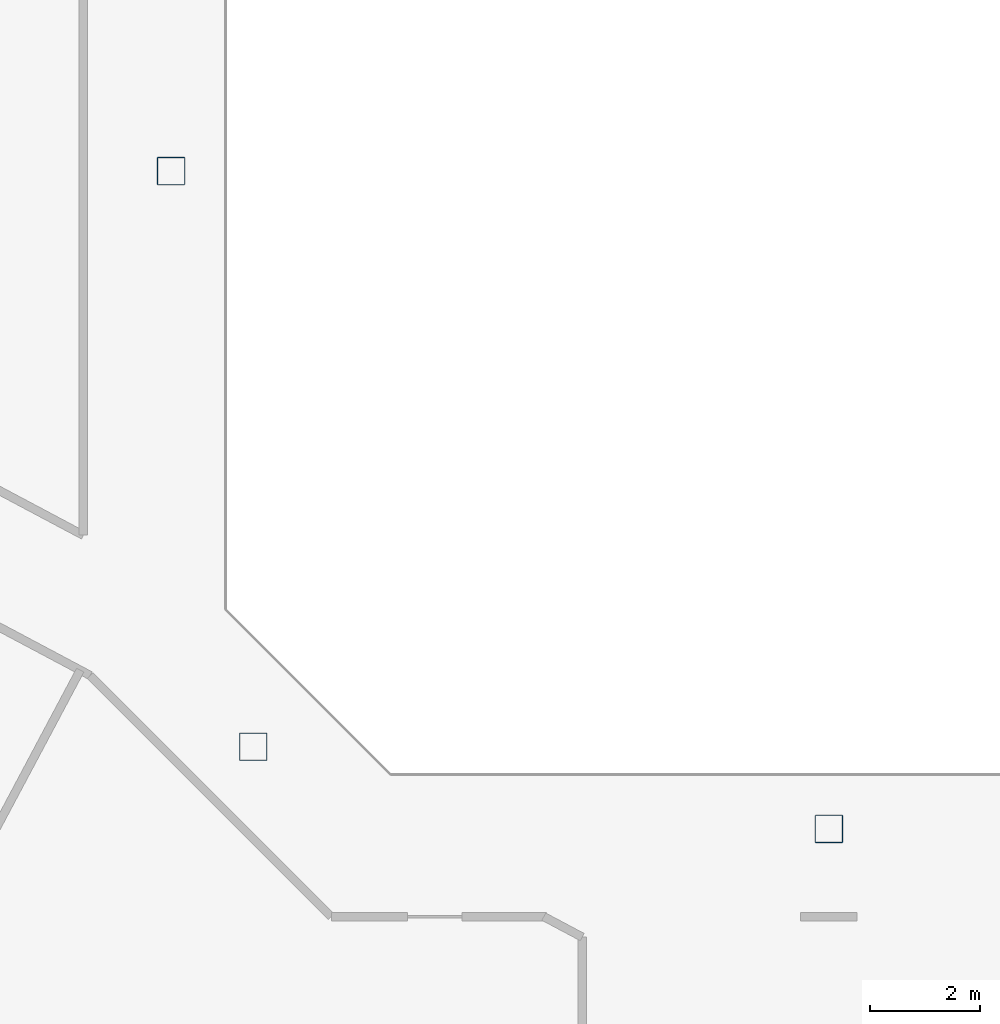
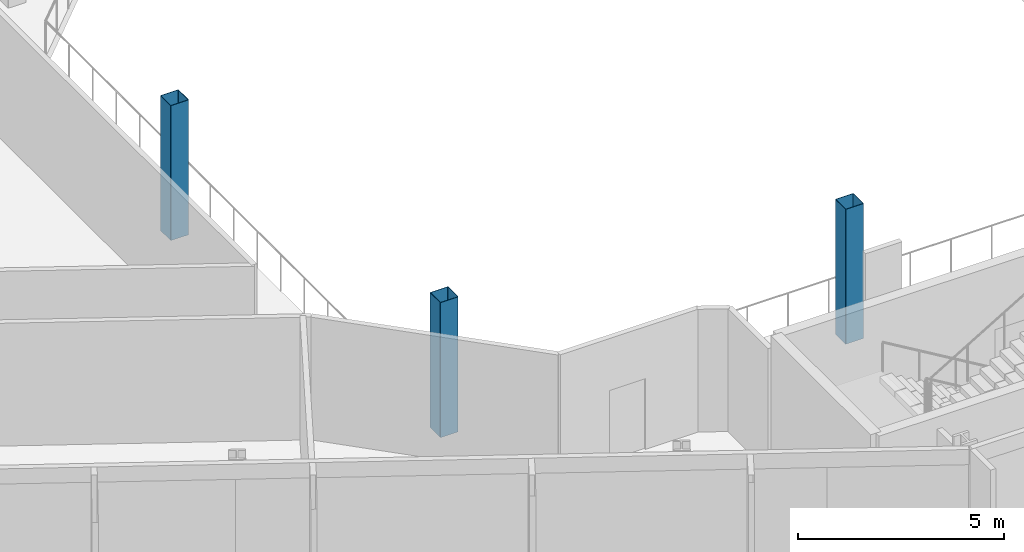
# One storey, part 2 of 28: 3 columns.
"""IFC4 building model written with IfcOpenShell, lengths in metres."""

from ifc_helpers import new_model, si_unit, direction, frame, origin, origin_2d, place, context, subcontext, project, spatial, hollow_rectangle, extrude, material, material_profile, profile_set, type_object, element, save


model = new_model("IFC4")

# Units and contexts
model_context = context("Model", 3, precision=1e-05, world=origin(), true_north=direction((0.0, 1.0)))
body_context = subcontext(model_context, "Body", "Model", "MODEL_VIEW")
ifc_project = project(units=[si_unit("LENGTHUNIT", "METRE"), si_unit("AREAUNIT", "SQUARE_METRE"), si_unit("VOLUMEUNIT", "CUBIC_METRE"), si_unit("PLANEANGLEUNIT", "RADIAN"), si_unit("MASSUNIT", "GRAM", prefix="KILO")], contexts=[model_context])

# Site, building, storey
site_placement = place(None, origin())
site = spatial("IfcSite", under=ifc_project, at=site_placement, CompositionType="ELEMENT")
building_placement = place(site_placement, origin())
building = spatial("IfcBuilding", under=site, at=building_placement, Name="Cormorant Relay Tower", CompositionType="ELEMENT")
storey_placement = place(building_placement, frame((0.0, 0.0, 158.199951171875)))
storey = spatial("IfcBuildingStorey", under=building, at=storey_placement, Name="L33", CompositionType="ELEMENT", Elevation=158.199951171875)

# Columns
ifc_material = material(Name="Steel ASTM A500 Grade C (Fy 345 MPa)", Category="steel")
ifc_material_profile = material_profile(ifc_material, hollow_rectangle(XDim=0.508056640625, YDim=0.508056640625, WallThickness=0.01171875, InnerFilletRadius=0.005859375, OuterFilletRadius=0.017822265625, at=origin_2d()), Name="HSS508x508x12")
ifc_profile_set = profile_set([ifc_material_profile], Name="Steel ASTM A500 Grade C (Fy 345 MPa)")
column_type = type_object("IfcColumnType", Name="Column HSS508x508x12", PredefinedType="COLUMN", material=ifc_profile_set)
for number, where, z_axis, x_axis, name in (
    (1, (0.0, -12.0, 0.0), (0.0, 0.0, 1.0), (1.0, 0.0, 0.0), "Column L33-007"),
    (2, (-10.5, -10.5, 0.0), (0.0, 0.0, 1.0), (1.0, 0.0, 0.0), "Column L33-009"),
    (3, (-12.0, 0.0, 0.0), (0.0, 0.0, 1.0), (1.0, 0.0, 0.0), "Column L33-015"),
):
    element("IfcColumn", number, at=place(storey_placement, frame(where, z_axis=z_axis, x_axis=x_axis)), inside=storey, type_object=column_type, Name=name, PredefinedType="COLUMN", context=body_context, shape_type="SweptSolid", body=[
        extrude(hollow_rectangle(XDim=0.508056640625, YDim=0.508056640625, WallThickness=0.01171875, InnerFilletRadius=0.005859375, OuterFilletRadius=0.017822265625, at=origin_2d()), origin(), (0.0, 0.0, 1.0), 4.0),
    ])

save(model, "model.ifc")
